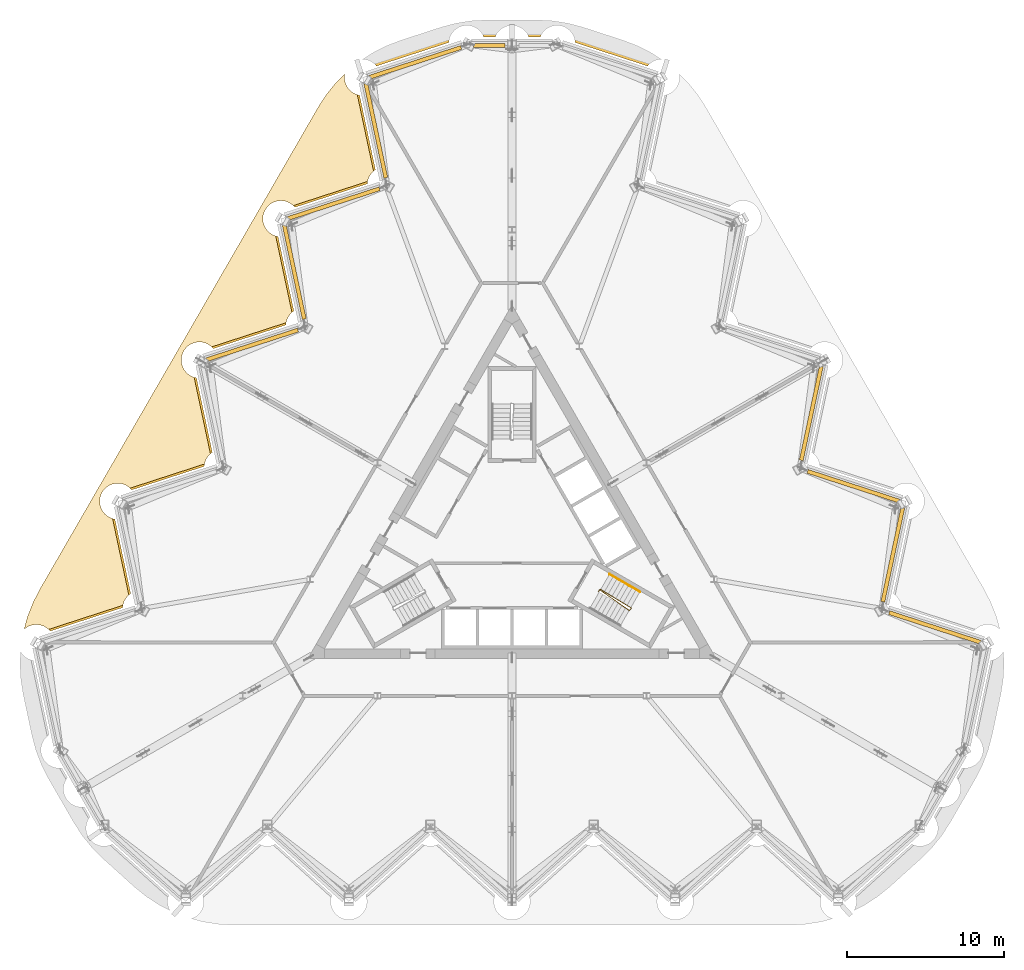
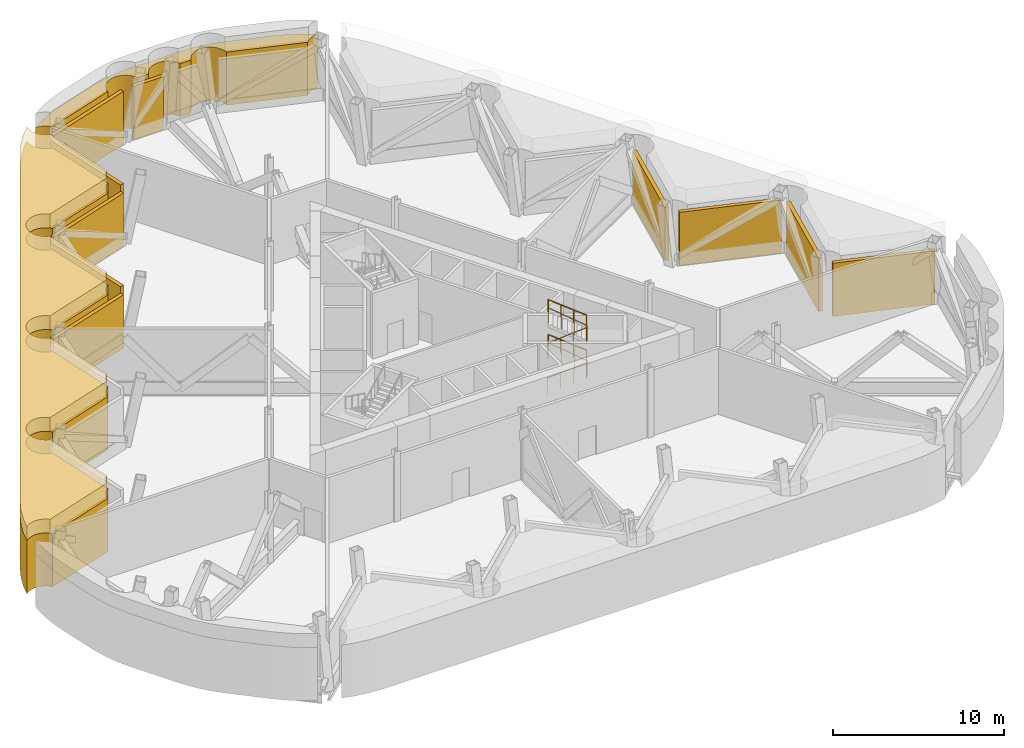
# One storey, part 15 of 16: 10 shading devices, 3 coverings, 3 railings.
"""IFC4 building model written with IfcOpenShell, lengths in metres."""

import ifcopenshell
import ifcopenshell.guid

model = None  # the IFC model being written
_history = None  # IfcOwnerHistory: only IFC2X3 demands one
_inside = {}  # id of a spatial element -> (the spatial element, [elements in it])
_under = {}  # id of a project, library or spatial element -> (it, [spatial elements below it])
_declared = {}  # id of a project -> (the project, [libraries it declares])
_typed = {}  # id of a type object -> (the type object, [elements of that type])
_made_of = {}  # id of a material, layer set ... -> (it, [elements and type objects made of it])


def new_model(schema):
    """Start an empty IFC model of exactly this schema.

    Asked for "IFC4X3", IfcOpenShell would pick the latest addendum, in which some entities
    have other attributes; the version numbers below select the first issue.
    IFC2X3 requires an IfcOwnerHistory on every rooted entity: one is made here for all.
    """
    global model, _history
    if schema == "IFC4X3":
        model = ifcopenshell.file(schema_version=(4, 3, 0, 0))
    else:
        model = ifcopenshell.file(schema=schema)
    _inside.clear()
    _under.clear()
    _declared.clear()
    _typed.clear()
    _made_of.clear()
    _history = None
    if model.schema == "IFC2X3":
        org = make("IfcOrganization", Name="unknown")
        user = make(
            "IfcPersonAndOrganization",
            ThePerson=make("IfcPerson", FamilyName="unknown"),
            TheOrganization=org,
        )
        app = make(
            "IfcApplication",
            ApplicationDeveloper=org,
            Version="unknown",
            ApplicationFullName="unknown",
            ApplicationIdentifier="unknown",
        )
        _history = make(
            "IfcOwnerHistory",
            OwningUser=user,
            OwningApplication=app,
            ChangeAction="ADDED",
            CreationDate=0,
        )
    return model


def make(cls, **values):
    """One entity of the class cls with the attributes given. An attribute that is None is left unset."""
    return model.create_entity(
        cls, **{name: value for name, value in values.items() if value is not None}
    )


def rooted(cls, **values):
    """An entity with a GlobalId (a new one), such as an element, a storey or a relation."""
    return make(cls, GlobalId=ifcopenshell.guid.new(), OwnerHistory=_history, **values)


def si_unit(unit_type, name, prefix=None):
    """IfcSIUnit, for example si_unit("LENGTHUNIT", "METRE", prefix="MILLI")."""
    return make("IfcSIUnit", UnitType=unit_type, Prefix=prefix, Name=name)


def assignment(units):
    """IfcUnitAssignment: the units of a project."""
    return None if units is None else make("IfcUnitAssignment", Units=units)


def point(xyz):
    """IfcCartesianPoint."""
    return None if xyz is None else make("IfcCartesianPoint", Coordinates=xyz)


def direction(xyz):
    """IfcDirection."""
    return None if xyz is None else make("IfcDirection", DirectionRatios=xyz)


def frame(location, z_axis=None, x_axis=None):
    """IfcAxis2Placement3D, a coordinate frame: its origin and axes. An axis left out is left unset."""
    return make(
        "IfcAxis2Placement3D",
        Location=point(location),
        Axis=direction(z_axis),
        RefDirection=direction(x_axis),
    )


def frame_2d(location, x_axis=None):
    """IfcAxis2Placement2D, a coordinate frame in the plane: its origin and x axis."""
    return make(
        "IfcAxis2Placement2D", Location=point(location), RefDirection=direction(x_axis)
    )


def origin():
    """The frame at (0, 0, 0) with its axes left unset."""
    return frame((0.0, 0.0, 0.0))


def origin_2d():
    """The frame at (0, 0) in the plane with its x axis left unset."""
    return frame_2d((0.0, 0.0))


def place(relative_to, where):
    """IfcLocalPlacement: puts the frame where relative to a parent placement (None: the world)."""
    return make(
        "IfcLocalPlacement", PlacementRelTo=relative_to, RelativePlacement=where
    )


def context(
    kind, dimensions, precision=None, world=None, true_north=None, identifier=None
):
    """IfcGeometricRepresentationContext, for example the 3D "Model" context."""
    return make(
        "IfcGeometricRepresentationContext",
        ContextIdentifier=identifier,
        ContextType=kind,
        CoordinateSpaceDimension=dimensions,
        Precision=precision,
        WorldCoordinateSystem=world,
        TrueNorth=true_north,
    )


def subcontext(parent, identifier, kind, view, scale=None):
    """IfcGeometricRepresentationSubContext, for example "Body" below "Model"."""
    return make(
        "IfcGeometricRepresentationSubContext",
        ContextIdentifier=identifier,
        ContextType=kind,
        ParentContext=parent,
        TargetScale=scale,
        TargetView=view,
    )


def project(units=None, contexts=None):
    """IfcProject with its units and contexts."""
    return rooted(
        "IfcProject",
        Name="project",
        RepresentationContexts=contexts,
        UnitsInContext=assignment(units),
    )


def spatial(cls, under=None, at=None, **own):
    """A site, building, storey or space (cls), placed at a placement, below another one or the project."""
    s = rooted(cls, ObjectPlacement=at, **own)
    if under is not None:
        _under.setdefault(under.id(), (under, []))[1].append(s)
    return s


def polyline(points):
    """IfcPolyline through the points."""
    return make("IfcPolyline", Points=[point(p) for p in points])


def profile(cls, at=None, kind="AREA", **sizes):
    """A parametric profile (cls). Its sizes go by their IFC names, for example OverallWidth=200.0."""
    return make(cls, ProfileType=kind, Position=at, **sizes)


def rectangle(**sizes):
    """IfcRectangleProfileDef."""
    return profile("IfcRectangleProfileDef", **sizes)


def circle(**sizes):
    """IfcCircleProfileDef."""
    return profile("IfcCircleProfileDef", **sizes)


def outline(outer, holes=None, kind="AREA"):
    """IfcArbitraryClosedProfileDef: a profile drawn as a closed curve; with holes, ...WithVoids."""
    if holes is None:
        return make("IfcArbitraryClosedProfileDef", ProfileType=kind, OuterCurve=outer)
    return make(
        "IfcArbitraryProfileDefWithVoids",
        ProfileType=kind,
        OuterCurve=outer,
        InnerCurves=holes,
    )


def extrude(swept, where, along, depth):
    """IfcExtrudedAreaSolid: the profile swept, set in the frame where, extruded along a direction by depth."""
    return make(
        "IfcExtrudedAreaSolid",
        SweptArea=swept,
        Position=where,
        ExtrudedDirection=direction(along),
        Depth=depth,
    )


def shape(context_of_items, identifier, shape_type, items):
    """IfcShapeRepresentation: the items that make up one representation, for example the "Body"."""
    return make(
        "IfcShapeRepresentation",
        ContextOfItems=context_of_items,
        RepresentationIdentifier=identifier,
        RepresentationType=shape_type,
        Items=items,
    )


def material(Name=None, Category=None):
    """IfcMaterial."""
    return make("IfcMaterial", Name=Name, Category=Category)


def layer(
    of_material, thickness, ventilated=None, Name=None, Category=None, Priority=None
):
    """IfcMaterialLayer: one layer of a wall or slab, of a material (None: an air gap)."""
    return make(
        "IfcMaterialLayer",
        Material=of_material,
        LayerThickness=thickness,
        IsVentilated=ventilated,
        Name=Name,
        Category=Category,
        Priority=Priority,
    )


def layer_set(layers, Name=None):
    """IfcMaterialLayerSet."""
    return make("IfcMaterialLayerSet", MaterialLayers=layers, LayerSetName=Name)


def made_of(thing, what):
    """Note that an element or type object is made of a material, layer set ...; save() writes the relation."""
    if what is not None:
        _made_of.setdefault(what.id(), (what, []))[1].append(thing)
    return thing


def type_object(cls, material=None, **own):
    """A type object (cls), such as IfcWallType, which elements share."""
    return made_of(rooted(cls, **own), material)


def element(
    cls,
    number,
    at=None,
    inside=None,
    cuts=None,
    type_object=None,
    material=None,
    context=None,
    identifier="Body",
    shape_type=None,
    held_by="IfcProductDefinitionShape",
    body=None,
    shapes=None,
    **own,
):
    """One element of the class cls, such as IfcWall. Its Tag is "e" and its number.

    at: its placement. inside: the storey or other place that contains it. cuts: it is an
    opening in that element (IfcRelVoidsElement). A single representation is given by context,
    identifier, shape_type and body (its items); several are given by shapes. held_by: the class
    of the entity that holds the representations. save() writes the other relations.
    """
    e = rooted(cls, Tag="e%d" % number, ObjectPlacement=at, **own)
    if body is not None:
        shapes = [shape(context, identifier, shape_type, body)]
    if shapes is not None:
        e.Representation = make(held_by, Representations=shapes)
    if inside is not None:
        _inside.setdefault(inside.id(), (inside, []))[1].append(e)
    if cuts is not None:
        rooted(
            "IfcRelVoidsElement", RelatingBuildingElement=cuts, RelatedOpeningElement=e
        )
    if type_object is not None:
        _typed.setdefault(type_object.id(), (type_object, []))[1].append(e)
    return made_of(e, material)


def aggregate(whole, parts):
    """IfcRelAggregates: a whole, such as a stair, and the parts it consists of."""
    return rooted("IfcRelAggregates", RelatingObject=whole, RelatedObjects=parts)


def save(model, path):
    """Write the relations noted so far, then the file.

    IfcRelAggregates (storeys below a building ...), IfcRelContainedInSpatialStructure (elements
    in a storey), IfcRelDefinesByType, IfcRelAssociatesMaterial and IfcRelDeclares: one each for
    every whole, place, type object, material and project.
    """
    for whole, parts in _under.values():
        aggregate(whole, parts)
    for where, things in _inside.values():
        rooted(
            "IfcRelContainedInSpatialStructure",
            RelatedElements=things,
            RelatingStructure=where,
        )
    for kind, things in _typed.values():
        rooted("IfcRelDefinesByType", RelatedObjects=things, RelatingType=kind)
    for what, things in _made_of.values():
        rooted("IfcRelAssociatesMaterial", RelatedObjects=things, RelatingMaterial=what)
    for by, libraries in _declared.values():
        rooted("IfcRelDeclares", RelatingContext=by, RelatedDefinitions=libraries)
    model.write(path)


model = new_model("IFC4")

# Units and contexts
model_context = context("Model", 3, precision=1e-05, world=origin(), true_north=direction((0.0, 1.0)))
body_context = subcontext(model_context, "Body", "Model", "MODEL_VIEW")
ifc_project = project(units=[si_unit("LENGTHUNIT", "METRE"), si_unit("AREAUNIT", "SQUARE_METRE"), si_unit("VOLUMEUNIT", "CUBIC_METRE"), si_unit("PLANEANGLEUNIT", "RADIAN"), si_unit("MASSUNIT", "GRAM", prefix="KILO")], contexts=[model_context])

# Site, building, storey
site_placement = place(None, origin())
site = spatial("IfcSite", under=ifc_project, at=site_placement, CompositionType="ELEMENT")
building_placement = place(site_placement, origin())
building = spatial("IfcBuilding", under=site, at=building_placement, Name="Cormorant Prow Tower", CompositionType="ELEMENT")
storey_placement = place(building_placement, frame((0.0, 0.0, 356.0)))
storey = spatial("IfcBuildingStorey", under=building, at=storey_placement, Name="L79", CompositionType="ELEMENT", Elevation=356.0)

# Coverings
ifc_material_1 = material(Name="Terracotta", Category="masonry")
ifc_layer_1 = layer(ifc_material_1, 0.449951171875)
ifc_layer_set_1 = layer_set([ifc_layer_1], Name="Terracotta")
covering_type = type_object("IfcCoveringType", Name="Arcade fascia cladding 450", PredefinedType="CLADDING", material=ifc_layer_set_1)
covering_1_placement = place(storey_placement, origin())
element("IfcCovering", 1, at=covering_1_placement, inside=storey, type_object=covering_type, Name="Fascia band L79 part 2", PredefinedType="CLADDING", context=body_context, shape_type="SweptSolid", body=[
    extrude(outline(polyline([(-30.868896484375, -4.8369140625), (-30.56884765625, -4.05517578125), (-30.5048828125, -3.91162109375), (-30.124755859375, -3.16552734375), (-30.08740234375, -3.0966796875), (-21.224609375, 12.25390625), (-12.36181640625, 27.604736328125), (-12.32080078125, 27.671630859375), (-11.86474609375, 28.373779296875), (-11.7724609375, 28.5009765625), (-11.24560546875, 29.151611328125), (-11.140380859375, 29.268310546875), (-10.650390625, 29.758544921875), (-10.6552734375, 29.738525390625), (-10.671875, 29.626953125), (-10.677490234375, 29.51416015625), (-10.671875, 29.401611328125), (-10.6552734375, 29.289794921875), (-10.6279296875, 29.180419921875), (-10.58984375, 29.07421875), (-10.54150390625, 28.97216796875), (-10.483642578125, 28.875244140625), (-10.41650390625, 28.78466796875), (-10.340576171875, 28.700927734375), (-10.257080078125, 28.625244140625), (-10.166259765625, 28.55810546875), (-10.069580078125, 28.5), (-9.967529296875, 28.45166015625), (-9.861328125, 28.413818359375), (-9.751708984375, 28.38623046875), (-9.71337890625, 28.380615234375), (-8.703857421875, 23.6318359375), (-8.7119140625, 23.627197265625), (-8.802490234375, 23.56005859375), (-8.885986328125, 23.484130859375), (-8.9619140625, 23.400634765625), (-9.029052734375, 23.309814453125), (-9.087158203125, 23.213134765625), (-9.13525390625, 23.111083984375), (-9.17333984375, 23.0048828125), (-9.20068359375, 22.8955078125), (-9.21728515625, 22.78369140625), (-9.219482421875, 22.7373046875), (-13.83642578125, 21.2373046875), (-13.837646484375, 21.23876953125), (-13.913330078125, 21.322265625), (-13.9970703125, 21.398193359375), (-14.087646484375, 21.46533203125), (-14.184326171875, 21.523193359375), (-14.286376953125, 21.571533203125), (-14.392578125, 21.609619140625), (-14.502197265625, 21.636962890625), (-14.61376953125, 21.653564453125), (-14.7265625, 21.6591796875), (-14.839111328125, 21.653564453125), (-14.950927734375, 21.636962890625), (-15.060302734375, 21.609619140625), (-15.16650390625, 21.571533203125), (-15.2685546875, 21.523193359375), (-15.365478515625, 21.46533203125), (-15.4560546875, 21.398193359375), (-15.539794921875, 21.322265625), (-15.615478515625, 21.23876953125), (-15.6826171875, 21.14794921875), (-15.74072265625, 21.05126953125), (-15.7890625, 20.94921875), (-15.826904296875, 20.843017578125), (-15.8544921875, 20.7333984375), (-15.87109375, 20.621826171875), (-15.87646484375, 20.509033203125), (-15.87109375, 20.396484375), (-15.8544921875, 20.284912109375), (-15.826904296875, 20.17529296875), (-15.7890625, 20.069091796875), (-15.74072265625, 19.967041015625), (-15.6826171875, 19.8701171875), (-15.615478515625, 19.779541015625), (-15.539794921875, 19.69580078125), (-15.4560546875, 19.6201171875), (-15.365478515625, 19.552978515625), (-15.2685546875, 19.494873046875), (-15.16650390625, 19.44677734375), (-15.060302734375, 19.40869140625), (-14.950927734375, 19.381103515625), (-14.912353515625, 19.37548828125), (-13.903076171875, 14.626708984375), (-13.910888671875, 14.6220703125), (-14.00146484375, 14.554931640625), (-14.085205078125, 14.47900390625), (-14.160888671875, 14.3955078125), (-14.22802734375, 14.304931640625), (-14.2861328125, 14.2080078125), (-14.33447265625, 14.10595703125), (-14.372314453125, 13.999755859375), (-14.39990234375, 13.890380859375), (-14.41650390625, 13.77880859375), (-14.418701171875, 13.732421875), (-19.03564453125, 12.232177734375), (-19.03662109375, 12.233642578125), (-19.1123046875, 12.317138671875), (-19.196044921875, 12.39306640625), (-19.28662109375, 12.460205078125), (-19.383544921875, 12.518310546875), (-19.485595703125, 12.56640625), (-19.591796875, 12.6044921875), (-19.701171875, 12.632080078125), (-19.81298828125, 12.6484375), (-19.925537109375, 12.654052734375), (-20.038330078125, 12.6484375), (-20.14990234375, 12.632080078125), (-20.259521484375, 12.6044921875), (-20.36572265625, 12.56640625), (-20.4677734375, 12.518310546875), (-20.564453125, 12.460205078125), (-20.655029296875, 12.39306640625), (-20.73876953125, 12.317138671875), (-20.814697265625, 12.233642578125), (-20.8818359375, 12.14306640625), (-20.939697265625, 12.046142578125), (-20.988037109375, 11.944091796875), (-21.026123046875, 11.837890625), (-21.053466796875, 11.728515625), (-21.070068359375, 11.61669921875), (-21.07568359375, 11.50390625), (-21.070068359375, 11.391357421875), (-21.053466796875, 11.27978515625), (-21.026123046875, 11.170166015625), (-20.988037109375, 11.06396484375), (-20.939697265625, 10.9619140625), (-20.8818359375, 10.864990234375), (-20.814697265625, 10.7744140625), (-20.73876953125, 10.69091796875), (-20.655029296875, 10.614990234375), (-20.564453125, 10.5478515625), (-20.4677734375, 10.48974609375), (-20.36572265625, 10.441650390625), (-20.259521484375, 10.403564453125), (-20.14990234375, 10.376220703125), (-20.111572265625, 10.370361328125), (-19.10205078125, 5.621826171875), (-19.10986328125, 5.6171875), (-19.20068359375, 5.5498046875), (-19.2841796875, 5.47412109375), (-19.360107421875, 5.390380859375), (-19.42724609375, 5.2998046875), (-19.485107421875, 5.202880859375), (-19.533447265625, 5.10107421875), (-19.571533203125, 4.99462890625), (-19.598876953125, 4.88525390625), (-19.615478515625, 4.773681640625), (-19.617919921875, 4.727294921875), (-24.234619140625, 3.22705078125), (-24.235595703125, 3.228515625), (-24.3115234375, 3.312255859375), (-24.39501953125, 3.387939453125), (-24.48583984375, 3.455078125), (-24.58251953125, 3.51318359375), (-24.6845703125, 3.561279296875), (-24.790771484375, 3.599609375), (-24.900390625, 3.626953125), (-25.011962890625, 3.643310546875), (-25.124755859375, 3.64892578125), (-25.2373046875, 3.643310546875), (-25.34912109375, 3.626953125), (-25.45849609375, 3.599609375), (-25.564697265625, 3.561279296875), (-25.666748046875, 3.51318359375), (-25.763671875, 3.455078125), (-25.854248046875, 3.387939453125), (-25.937744140625, 3.312255859375), (-26.013671875, 3.228515625), (-26.080810546875, 3.137939453125), (-26.138916015625, 3.041015625), (-26.18701171875, 2.939208984375), (-26.22509765625, 2.832763671875), (-26.252685546875, 2.723388671875), (-26.26904296875, 2.61181640625), (-26.274658203125, 2.4990234375), (-26.26904296875, 2.38623046875), (-26.252685546875, 2.274658203125), (-26.22509765625, 2.165283203125), (-26.18701171875, 2.058837890625), (-26.138916015625, 1.956787109375), (-26.080810546875, 1.860107421875), (-26.013671875, 1.769287109375), (-25.937744140625, 1.685791015625), (-25.854248046875, 1.610107421875), (-25.763671875, 1.542724609375), (-25.666748046875, 1.48486328125), (-25.564697265625, 1.4365234375), (-25.45849609375, 1.3984375), (-25.34912109375, 1.37109375), (-25.310546875, 1.365478515625), (-24.30126953125, -3.38330078125), (-24.30908203125, -3.387939453125), (-24.399658203125, -3.455078125), (-24.4833984375, -3.531005859375), (-24.55908203125, -3.614501953125), (-24.626220703125, -3.705322265625), (-24.684326171875, -3.802001953125), (-24.732666015625, -3.904052734375), (-24.7705078125, -4.010498046875), (-24.798095703125, -4.119873046875), (-24.814697265625, -4.2314453125), (-24.81689453125, -4.27783203125), (-29.433837890625, -5.77783203125), (-29.434814453125, -5.776611328125), (-29.510498046875, -5.69287109375), (-29.59423828125, -5.6171875), (-29.684814453125, -5.5498046875), (-29.781494140625, -5.491943359375), (-29.8837890625, -5.443603515625), (-29.989990234375, -5.405517578125), (-30.099365234375, -5.378173828125), (-30.2109375, -5.361572265625), (-30.32373046875, -5.356201171875), (-30.4365234375, -5.361572265625), (-30.548095703125, -5.378173828125), (-30.65771484375, -5.405517578125), (-30.763916015625, -5.443603515625), (-30.865966796875, -5.491943359375), (-30.962646484375, -5.5498046875), (-31.05322265625, -5.6171875), (-31.09716796875, -5.65673828125), (-30.91748046875, -4.986083984375), (-30.868896484375, -4.8369140625)])), origin(), (0.0, 0.0, 1.0), 3.800048828125),
])
covering_2_placement = place(storey_placement, origin())
element("IfcCovering", 2, at=covering_2_placement, inside=storey, type_object=covering_type, Name="Fascia band L79 part 6", PredefinedType="CLADDING", context=body_context, shape_type="SweptSolid", body=[
    extrude(outline(polyline([(-8.815673828125, 31.119384765625), (-8.069580078125, 31.49951171875), (-7.926025390625, 31.5634765625), (-7.144287109375, 31.863525390625), (-7.0703125, 31.8896484375), (-4.54248046875, 32.711181640625), (-4.467041015625, 32.7333984375), (-3.658203125, 32.9501953125), (-3.504638671875, 32.98291015625), (-2.677490234375, 33.11376953125), (-2.521484375, 33.130126953125), (-1.685302734375, 33.174072265625), (-1.606689453125, 33.176025390625), (1.606689453125, 33.176025390625), (1.685302734375, 33.174072265625), (2.521484375, 33.130126953125), (2.677490234375, 33.11376953125), (3.504638671875, 32.98291015625), (3.658203125, 32.9501953125), (4.467041015625, 32.7333984375), (4.54248046875, 32.711181640625), (7.0703125, 31.8896484375), (7.144287109375, 31.863525390625), (7.926025390625, 31.5634765625), (8.069580078125, 31.49951171875), (8.815673828125, 31.119384765625), (8.95166015625, 31.041015625), (9.531982421875, 30.6640625), (9.52734375, 30.664306640625), (9.414794921875, 30.65869140625), (9.302978515625, 30.64208984375), (9.193603515625, 30.61474609375), (9.08740234375, 30.57666015625), (8.9853515625, 30.5283203125), (8.888427734375, 30.470458984375), (8.7978515625, 30.403076171875), (8.71435546875, 30.327392578125), (8.638427734375, 30.24365234375), (8.637451171875, 30.2421875), (4.0205078125, 31.742431640625), (4.018310546875, 31.788818359375), (4.001708984375, 31.900390625), (3.974365234375, 32.010009765625), (3.936279296875, 32.1162109375), (3.887939453125, 32.21826171875), (3.830078125, 32.31494140625), (3.7626953125, 32.405517578125), (3.68701171875, 32.4892578125), (3.603515625, 32.56494140625), (3.5126953125, 32.63232421875), (3.416015625, 32.690185546875), (3.31396484375, 32.738525390625), (3.20751953125, 32.776611328125), (3.09814453125, 32.803955078125), (2.986572265625, 32.820556640625), (2.873779296875, 32.826171875), (2.760986328125, 32.820556640625), (2.6494140625, 32.803955078125), (2.5400390625, 32.776611328125), (2.43359375, 32.738525390625), (2.331787109375, 32.690185546875), (2.23486328125, 32.63232421875), (2.144287109375, 32.56494140625), (2.060546875, 32.4892578125), (1.98486328125, 32.405517578125), (1.91748046875, 32.31494140625), (1.859619140625, 32.21826171875), (1.811279296875, 32.1162109375), (1.80322265625, 32.093505859375), (1.070556640625, 32.093505859375), (1.0625, 32.1162109375), (1.01416015625, 32.21826171875), (0.956298828125, 32.31494140625), (0.888916015625, 32.405517578125), (0.813232421875, 32.4892578125), (0.7294921875, 32.56494140625), (0.638916015625, 32.63232421875), (0.5419921875, 32.690185546875), (0.440185546875, 32.738525390625), (0.333740234375, 32.776611328125), (0.224365234375, 32.803955078125), (0.11279296875, 32.820556640625), (0.0, 32.826171875), (-0.11279296875, 32.820556640625), (-0.224365234375, 32.803955078125), (-0.333740234375, 32.776611328125), (-0.440185546875, 32.738525390625), (-0.5419921875, 32.690185546875), (-0.638916015625, 32.63232421875), (-0.7294921875, 32.56494140625), (-0.813232421875, 32.4892578125), (-0.888916015625, 32.405517578125), (-0.956298828125, 32.31494140625), (-1.01416015625, 32.21826171875), (-1.0625, 32.1162109375), (-1.070556640625, 32.093505859375), (-1.80322265625, 32.093505859375), (-1.811279296875, 32.1162109375), (-1.859619140625, 32.21826171875), (-1.91748046875, 32.31494140625), (-1.98486328125, 32.405517578125), (-2.060546875, 32.4892578125), (-2.144287109375, 32.56494140625), (-2.23486328125, 32.63232421875), (-2.331787109375, 32.690185546875), (-2.43359375, 32.738525390625), (-2.5400390625, 32.776611328125), (-2.6494140625, 32.803955078125), (-2.760986328125, 32.820556640625), (-2.873779296875, 32.826171875), (-2.986572265625, 32.820556640625), (-3.09814453125, 32.803955078125), (-3.20751953125, 32.776611328125), (-3.31396484375, 32.738525390625), (-3.416015625, 32.690185546875), (-3.5126953125, 32.63232421875), (-3.603515625, 32.56494140625), (-3.68701171875, 32.4892578125), (-3.7626953125, 32.405517578125), (-3.830078125, 32.31494140625), (-3.887939453125, 32.21826171875), (-3.936279296875, 32.1162109375), (-3.974365234375, 32.010009765625), (-4.001708984375, 31.900390625), (-4.018310546875, 31.788818359375), (-4.0205078125, 31.742431640625), (-8.637451171875, 30.2421875), (-8.638427734375, 30.24365234375), (-8.71435546875, 30.327392578125), (-8.7978515625, 30.403076171875), (-8.888427734375, 30.470458984375), (-8.9853515625, 30.5283203125), (-9.08740234375, 30.57666015625), (-9.193603515625, 30.61474609375), (-9.302978515625, 30.64208984375), (-9.414794921875, 30.65869140625), (-9.52734375, 30.664306640625), (-9.531982421875, 30.6640625), (-8.95166015625, 31.041015625), (-8.815673828125, 31.119384765625)])), origin(), (0.0, 0.0, 1.0), 3.800048828125),
])
covering_3_placement = place(storey_placement, frame((0.0, 0.0, 3.800048828125)))
element("IfcCovering", 3, at=covering_3_placement, inside=storey, type_object=covering_type, Name="Fascia band L79 head part 2", PredefinedType="CLADDING", context=body_context, shape_type="SweptSolid", body=[
    extrude(outline(polyline([(-30.56884765625, -4.05517578125), (-30.5048828125, -3.91162109375), (-30.124755859375, -3.16552734375), (-30.08740234375, -3.0966796875), (-21.224609375, 12.25390625), (-12.36181640625, 27.604736328125), (-12.32080078125, 27.671630859375), (-11.86474609375, 28.373779296875), (-11.7724609375, 28.5009765625), (-11.24560546875, 29.151611328125), (-11.140380859375, 29.268310546875), (-10.650390625, 29.758544921875), (-10.6552734375, 29.738525390625), (-10.671875, 29.626953125), (-10.677490234375, 29.51416015625), (-10.671875, 29.401611328125), (-10.6552734375, 29.289794921875), (-10.6279296875, 29.180419921875), (-10.58984375, 29.07421875), (-10.54150390625, 28.97216796875), (-10.483642578125, 28.875244140625), (-10.41650390625, 28.78466796875), (-10.340576171875, 28.700927734375), (-10.257080078125, 28.625244140625), (-10.166259765625, 28.55810546875), (-10.069580078125, 28.5), (-9.967529296875, 28.45166015625), (-9.861328125, 28.413818359375), (-9.859375, 28.4130859375), (-8.823486328125, 23.540771484375), (-8.885986328125, 23.484130859375), (-8.9619140625, 23.400634765625), (-9.029052734375, 23.309814453125), (-9.087158203125, 23.213134765625), (-9.13525390625, 23.111083984375), (-9.17333984375, 23.0048828125), (-9.20068359375, 22.8955078125), (-9.2021484375, 22.885986328125), (-13.940185546875, 21.3466796875), (-13.9970703125, 21.398193359375), (-14.087646484375, 21.46533203125), (-14.184326171875, 21.523193359375), (-14.286376953125, 21.571533203125), (-14.392578125, 21.609619140625), (-14.502197265625, 21.636962890625), (-14.61376953125, 21.653564453125), (-14.7265625, 21.6591796875), (-14.839111328125, 21.653564453125), (-14.950927734375, 21.636962890625), (-15.060302734375, 21.609619140625), (-15.16650390625, 21.571533203125), (-15.2685546875, 21.523193359375), (-15.365478515625, 21.46533203125), (-15.4560546875, 21.398193359375), (-15.539794921875, 21.322265625), (-15.615478515625, 21.23876953125), (-15.6826171875, 21.14794921875), (-15.74072265625, 21.05126953125), (-15.7890625, 20.94921875), (-15.826904296875, 20.843017578125), (-15.8544921875, 20.7333984375), (-15.87109375, 20.621826171875), (-15.87646484375, 20.509033203125), (-15.87109375, 20.396484375), (-15.8544921875, 20.284912109375), (-15.826904296875, 20.17529296875), (-15.7890625, 20.069091796875), (-15.74072265625, 19.967041015625), (-15.6826171875, 19.8701171875), (-15.615478515625, 19.779541015625), (-15.539794921875, 19.69580078125), (-15.4560546875, 19.6201171875), (-15.365478515625, 19.552978515625), (-15.2685546875, 19.494873046875), (-15.16650390625, 19.44677734375), (-15.060302734375, 19.40869140625), (-15.058349609375, 19.408203125), (-14.022705078125, 14.53564453125), (-14.085205078125, 14.47900390625), (-14.160888671875, 14.3955078125), (-14.22802734375, 14.304931640625), (-14.2861328125, 14.2080078125), (-14.33447265625, 14.10595703125), (-14.372314453125, 13.999755859375), (-14.39990234375, 13.890380859375), (-14.401123046875, 13.881103515625), (-19.13916015625, 12.341552734375), (-19.196044921875, 12.39306640625), (-19.28662109375, 12.460205078125), (-19.383544921875, 12.518310546875), (-19.485595703125, 12.56640625), (-19.591796875, 12.6044921875), (-19.701171875, 12.632080078125), (-19.81298828125, 12.6484375), (-19.925537109375, 12.654052734375), (-20.038330078125, 12.6484375), (-20.14990234375, 12.632080078125), (-20.259521484375, 12.6044921875), (-20.36572265625, 12.56640625), (-20.4677734375, 12.518310546875), (-20.564453125, 12.460205078125), (-20.655029296875, 12.39306640625), (-20.73876953125, 12.317138671875), (-20.814697265625, 12.233642578125), (-20.8818359375, 12.14306640625), (-20.939697265625, 12.046142578125), (-20.988037109375, 11.944091796875), (-21.026123046875, 11.837890625), (-21.053466796875, 11.728515625), (-21.070068359375, 11.61669921875), (-21.07568359375, 11.50390625), (-21.070068359375, 11.391357421875), (-21.053466796875, 11.27978515625), (-21.026123046875, 11.170166015625), (-20.988037109375, 11.06396484375), (-20.939697265625, 10.9619140625), (-20.8818359375, 10.864990234375), (-20.814697265625, 10.7744140625), (-20.73876953125, 10.69091796875), (-20.655029296875, 10.614990234375), (-20.564453125, 10.5478515625), (-20.4677734375, 10.48974609375), (-20.36572265625, 10.441650390625), (-20.259521484375, 10.403564453125), (-20.25732421875, 10.403076171875), (-19.2216796875, 5.530517578125), (-19.2841796875, 5.47412109375), (-19.360107421875, 5.390380859375), (-19.42724609375, 5.2998046875), (-19.485107421875, 5.202880859375), (-19.533447265625, 5.10107421875), (-19.571533203125, 4.99462890625), (-19.598876953125, 4.88525390625), (-19.600341796875, 4.8759765625), (-24.33837890625, 3.33642578125), (-24.39501953125, 3.387939453125), (-24.48583984375, 3.455078125), (-24.58251953125, 3.51318359375), (-24.6845703125, 3.561279296875), (-24.790771484375, 3.599609375), (-24.900390625, 3.626953125), (-25.011962890625, 3.643310546875), (-25.124755859375, 3.64892578125), (-25.2373046875, 3.643310546875), (-25.34912109375, 3.626953125), (-25.45849609375, 3.599609375), (-25.564697265625, 3.561279296875), (-25.666748046875, 3.51318359375), (-25.763671875, 3.455078125), (-25.854248046875, 3.387939453125), (-25.937744140625, 3.312255859375), (-26.013671875, 3.228515625), (-26.080810546875, 3.137939453125), (-26.138916015625, 3.041015625), (-26.18701171875, 2.939208984375), (-26.22509765625, 2.832763671875), (-26.252685546875, 2.723388671875), (-26.26904296875, 2.61181640625), (-26.274658203125, 2.4990234375), (-26.26904296875, 2.38623046875), (-26.252685546875, 2.274658203125), (-26.22509765625, 2.165283203125), (-26.18701171875, 2.058837890625), (-26.138916015625, 1.956787109375), (-26.080810546875, 1.860107421875), (-26.013671875, 1.769287109375), (-25.937744140625, 1.685791015625), (-25.854248046875, 1.610107421875), (-25.763671875, 1.542724609375), (-25.666748046875, 1.48486328125), (-25.564697265625, 1.4365234375), (-25.45849609375, 1.3984375), (-25.45654296875, 1.39794921875), (-24.4208984375, -3.474365234375), (-24.4833984375, -3.531005859375), (-24.55908203125, -3.614501953125), (-24.626220703125, -3.705322265625), (-24.684326171875, -3.802001953125), (-24.732666015625, -3.904052734375), (-24.7705078125, -4.010498046875), (-24.798095703125, -4.119873046875), (-24.79931640625, -4.129150390625), (-29.537353515625, -5.668701171875), (-29.59423828125, -5.6171875), (-29.684814453125, -5.5498046875), (-29.781494140625, -5.491943359375), (-29.8837890625, -5.443603515625), (-29.989990234375, -5.405517578125), (-30.099365234375, -5.378173828125), (-30.2109375, -5.361572265625), (-30.32373046875, -5.356201171875), (-30.4365234375, -5.361572265625), (-30.548095703125, -5.378173828125), (-30.65771484375, -5.405517578125), (-30.763916015625, -5.443603515625), (-30.865966796875, -5.491943359375), (-30.962646484375, -5.5498046875), (-31.05322265625, -5.6171875), (-31.09716796875, -5.65673828125), (-30.91748046875, -4.986083984375), (-30.868896484375, -4.8369140625), (-30.56884765625, -4.05517578125)])), origin(), (0.0, 0.0, 1.0), 1.0),
])

# Shading devices
ifc_material_2 = material(Name="Aluminium 6063-T6", Category="aluminium")
ifc_layer_2 = layer(ifc_material_2, 0.25)
ifc_layer_set_2 = layer_set([ifc_layer_2], Name="Aluminium 6063-T6")
shading_device_type_1 = type_object("IfcShadingDeviceType", Name="Plant storey louvre panel 2006x250x3800", PredefinedType="USERDEFINED", material=ifc_layer_set_2)
shading_device_placement = place(storey_placement, frame((-1.43701171875, 31.551025390625, 0.0), z_axis=(0.0, 0.0, 1.0), x_axis=(-1.0, 0.0, 0.0)))
element("IfcShadingDevice", 4, at=shading_device_placement, inside=storey, type_object=shading_device_type_1, Name="Plant storey louvre N01", ObjectType="LOUVRE", PredefinedType="USERDEFINED", context=body_context, shape_type="SweptSolid", body=[
    extrude(rectangle(XDim=2.005859375, YDim=0.25, at=origin_2d()), origin(), (0.0, 0.0, 1.0), 3.800048828125),
])
ifc_material_3 = material(Name="Aluminium 6063-T6", Category="aluminium")
ifc_layer_3 = layer(ifc_material_3, 0.25)
ifc_layer_set_3 = layer_set([ifc_layer_3], Name="Aluminium 6063-T6")
shading_device_type_2 = type_object("IfcShadingDeviceType", Name="Plant storey louvre panel 6128x250x3800", PredefinedType="USERDEFINED", material=ifc_layer_set_3)
for number, where, z_axis, x_axis, name in (
    (5, (26.958251953125, -5.5439453125, 0.0), (0.0, 0.0, 1.0), (-0.951056517881, 0.309016989495, 0.0), "Plant storey louvre ENE01"),
    (6, (24.275146484375, -0.896728515625, 0.0), (0.0, 0.0, 1.0), (0.20791165512, 0.978147608322, 0.0), "Plant storey louvre ENE02"),
    (7, (21.75927734375, 3.4609375, 0.0), (0.0, 0.0, 1.0), (-0.951056517881, 0.309016989495, 0.0), "Plant storey louvre ENE03"),
    (8, (19.075927734375, 8.1083984375, 0.0), (0.0, 0.0, 1.0), (0.20791176281, 0.978147585431, 0.0), "Plant storey louvre ENE04"),
    (9, (-6.162109375, 30.476318359375, 0.0), (0.0, 0.0, 1.0), (-0.951056504236, -0.30901703149, 0.0), "Plant storey louvre WNW00"),
    (10, (-8.677978515625, 26.11865234375, 0.0), (0.0, 0.0, 1.0), (0.207911626047, -0.978147614501, 0.0), "Plant storey louvre WNW01"),
    (11, (-11.361083984375, 21.47119140625, 0.0), (0.0, 0.0, 1.0), (-0.951056517881, -0.309016989495, 0.0), "Plant storey louvre WNW02"),
    (12, (-13.876953125, 17.113525390625, 0.0), (0.0, 0.0, 1.0), (0.20791165512, -0.978147608322, 0.0), "Plant storey louvre WNW03"),
    (13, (-16.56005859375, 12.466064453125, 0.0), (0.0, 0.0, 1.0), (-0.951056517881, -0.309016989495, 0.0), "Plant storey louvre WNW04"),
):
    element("IfcShadingDevice", number, at=place(storey_placement, frame(where, z_axis=z_axis, x_axis=x_axis)), inside=storey, type_object=shading_device_type_2, Name=name, ObjectType="LOUVRE", PredefinedType="USERDEFINED", context=body_context, shape_type="SweptSolid", body=[
        extrude(rectangle(XDim=6.1279296875, YDim=0.25, at=origin_2d()), origin(), (0.0, 0.0, 1.0), 3.800048828125),
    ])

# Railings
ifc_material_4 = material(Name="Stainless steel", Category="steel")
railing_type_1 = type_object("IfcRailingType", Name="Stair guard 1100", PredefinedType="GUARDRAIL", material=ifc_material_4)
railing_placement = place(storey_placement, frame((5.510009765625, -3.267822265625, 0.0)))
element("IfcRailing", 14, at=railing_placement, inside=storey, type_object=railing_type_1, Name="L79 ST2 stair guard 1", PredefinedType="GUARDRAIL", context=body_context, shape_type="SweptSolid", body=[
    extrude(circle(Radius=0.02392578125, at=origin_2d()), frame((0.0, 0.0, 1.076171875), z_axis=(0.501036270542, 0.865426285481, 0.0), x_axis=(-0.865426285481, 0.501036270542, 0.0)), (0.0, 0.0, 1.0), 0.150146484375),
    extrude(circle(Radius=0.02392578125, at=origin_2d()), frame((0.0751953125, 0.1298828125, 1.076171875), z_axis=(0.719698049427, -0.503779303625, 0.477745885267), x_axis=(0.573455215813, 0.819236910458, 0.0)), (0.0, 0.0, 1.0), 2.616455078125),
    extrude(circle(Radius=0.02392578125, at=origin_2d()), frame((1.958251953125, -1.188232421875, 2.326171875), z_axis=(0.695164929852, 0.718850276695, 0.0), x_axis=(-0.718850276695, 0.695164929852, 0.0)), (0.0, 0.0, 1.0), 0.2060546875),
    extrude(circle(Radius=0.02392578125, at=origin_2d()), frame((2.1015625, -1.0400390625, 2.326171875), z_axis=(-0.750450779969, 0.45536017281, 0.479031042693), x_axis=(-0.518752825935, -0.854924268918, 0.0)), (0.0, 0.0, 1.0), 2.609375),
    extrude(circle(Radius=0.02392578125, at=origin_2d()), frame((0.143310546875, 0.148193359375, 3.576171875), z_axis=(-0.965715946433, -0.259601060869, 0.0), x_axis=(0.259601060869, -0.965715946433, 0.0)), (0.0, 0.0, 1.0), 0.070556640625),
    extrude(circle(Radius=0.02392578125, at=origin_2d()), frame((0.0751953125, 0.1298828125, 3.576171875), z_axis=(0.719698049427, -0.503779303625, 0.477745885267), x_axis=(0.573455215813, 0.819236910458, 0.0)), (0.0, 0.0, 1.0), 2.616455078125),
    extrude(circle(Radius=0.02392578125, at=origin_2d()), frame((1.958251953125, -1.188232421875, 4.826171875), z_axis=(0.695164929852, 0.718850276695, 0.0), x_axis=(-0.718850276695, 0.695164929852, 0.0)), (0.0, 0.0, 1.0), 0.2060546875),
    extrude(circle(Radius=0.02392578125, at=origin_2d()), frame((2.1015625, -1.0400390625, 4.826171875), z_axis=(-0.750450779969, 0.45536017281, 0.479031042693), x_axis=(-0.518752825935, -0.854924268918, 0.0)), (0.0, 0.0, 1.0), 2.609375),
    extrude(circle(Radius=0.02099609375, at=origin_2d()), origin(), (0.0, 0.0, 1.0), 1.052001953125),
    extrude(circle(Radius=0.02099609375, at=origin_2d()), frame((0.0751953125, 0.1298828125, 0.0)), (0.0, 0.0, 1.0), 1.052001953125),
    extrude(circle(Radius=0.02099609375, at=origin_2d()), frame((0.702880859375, -0.3095703125, 0.416748046875)), (0.0, 0.0, 1.0), 1.052001953125),
    extrude(circle(Radius=0.02099609375, at=origin_2d()), frame((1.33056640625, -0.748779296875, 0.833251953125)), (0.0, 0.0, 1.0), 1.052001953125),
    extrude(circle(Radius=0.02099609375, at=origin_2d()), frame((1.958251953125, -1.188232421875, 1.25)), (0.0, 0.0, 1.0), 1.052001953125),
    extrude(circle(Radius=0.02099609375, at=origin_2d()), frame((2.1015625, -1.0400390625, 1.25)), (0.0, 0.0, 1.0), 1.052001953125),
    extrude(circle(Radius=0.02099609375, at=origin_2d()), frame((1.44873046875, -0.64404296875, 1.666748046875)), (0.0, 0.0, 1.0), 1.052001953125),
    extrude(circle(Radius=0.02099609375, at=origin_2d()), frame((0.796142578125, -0.247802734375, 2.083251953125)), (0.0, 0.0, 1.0), 1.052001953125),
    extrude(circle(Radius=0.02099609375, at=origin_2d()), frame((0.143310546875, 0.148193359375, 2.5)), (0.0, 0.0, 1.0), 1.052001953125),
    extrude(circle(Radius=0.02099609375, at=origin_2d()), frame((0.0751953125, 0.1298828125, 2.5)), (0.0, 0.0, 1.0), 1.052001953125),
    extrude(circle(Radius=0.02099609375, at=origin_2d()), frame((0.702880859375, -0.3095703125, 2.916748046875)), (0.0, 0.0, 1.0), 1.052001953125),
    extrude(circle(Radius=0.02099609375, at=origin_2d()), frame((1.33056640625, -0.748779296875, 3.333251953125)), (0.0, 0.0, 1.0), 1.052001953125),
    extrude(circle(Radius=0.02099609375, at=origin_2d()), frame((1.958251953125, -1.188232421875, 3.75)), (0.0, 0.0, 1.0), 1.052001953125),
    extrude(circle(Radius=0.02099609375, at=origin_2d()), frame((2.1015625, -1.0400390625, 3.75)), (0.0, 0.0, 1.0), 1.052001953125),
    extrude(circle(Radius=0.02099609375, at=origin_2d()), frame((1.44873046875, -0.64404296875, 4.166748046875)), (0.0, 0.0, 1.0), 1.052001953125),
    extrude(circle(Radius=0.02099609375, at=origin_2d()), frame((0.796142578125, -0.247802734375, 4.583251953125)), (0.0, 0.0, 1.0), 1.052001953125),
    extrude(circle(Radius=0.02099609375, at=origin_2d()), frame((0.143310546875, 0.148193359375, 5.0)), (0.0, 0.0, 1.0), 1.052001953125),
])
ifc_material_5 = material(Name="Stainless steel", Category="steel")
railing_type_2 = type_object("IfcRailingType", Name="Stair handrail 900", PredefinedType="HANDRAIL", material=ifc_material_5)
for number, where, name in (
    (15, (8.15283203125, -3.2705078125, 1.388916015625), "L79 ST2 stair handrail 2"),
    (16, (8.15283203125, -3.2705078125, 3.888916015625), "L79 ST2 stair handrail 4"),
):
    element("IfcRailing", number, at=place(storey_placement, frame(where)), inside=storey, type_object=railing_type_2, Name=name, PredefinedType="HANDRAIL", context=body_context, shape_type="SweptSolid", body=[
        extrude(circle(Radius=0.02392578125, at=origin_2d()), frame((0.0, 0.0, 0.8759765625), z_axis=(-0.775852689126, 0.447877710172, 0.44436264639), x_axis=(-0.49994888933, -0.866054910533, 0.0)), (0.0, 0.0, 1.0), 2.50048828125),
        extrude(circle(Radius=0.02099609375, at=origin_2d()), origin(), (0.0, 0.0, 1.0), 0.851806640625),
        extrude(circle(Radius=0.02099609375, at=origin_2d()), frame((-0.646728515625, 0.373291015625, 0.370361328125)), (0.0, 0.0, 1.0), 0.851806640625),
        extrude(circle(Radius=0.02099609375, at=origin_2d()), frame((-1.293212890625, 0.74658203125, 0.74072265625)), (0.0, 0.0, 1.0), 0.851806640625),
        extrude(circle(Radius=0.02099609375, at=origin_2d()), frame((-1.93994140625, 1.119873046875, 1.111083984375)), (0.0, 0.0, 1.0), 0.851806640625),
    ])

save(model, "model.ifc")
